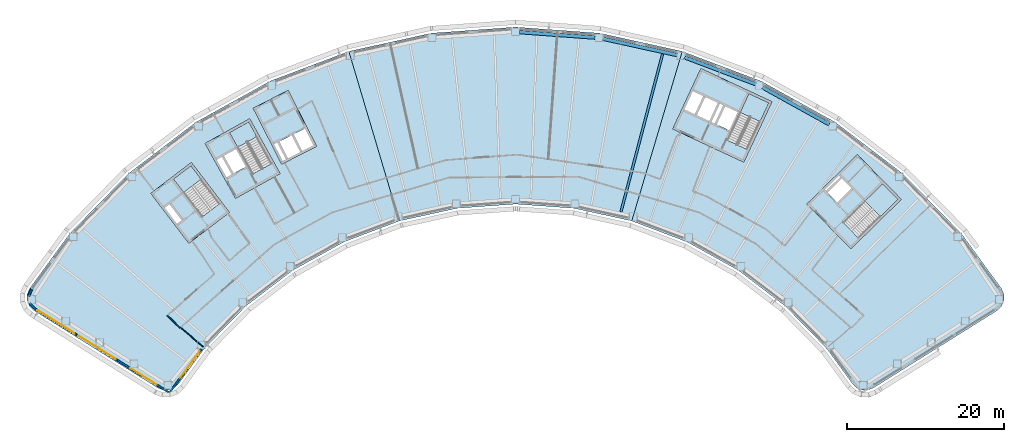
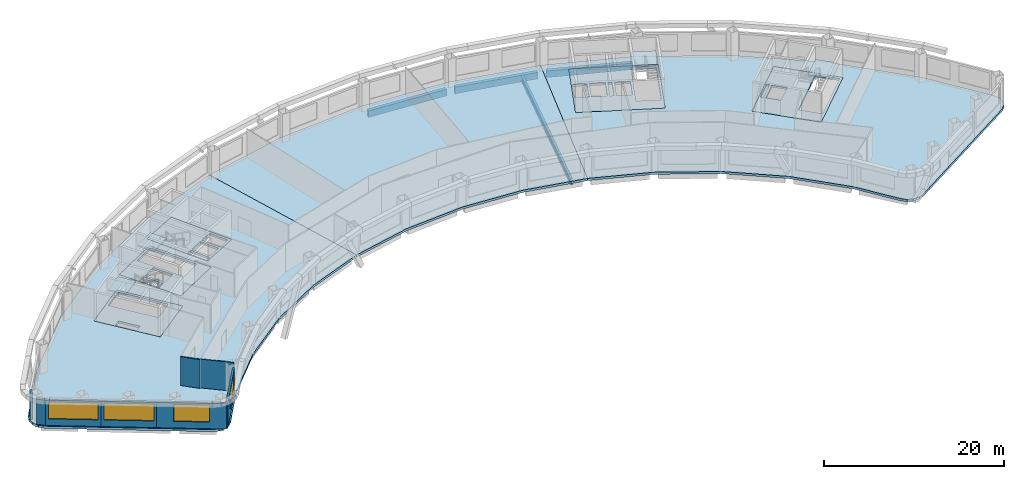
# One storey, part 2 of 13: 12 slabs, 8 walls, 5 beams, 4 windows, 4 openings, 4 elements without a shape of their own.
"""IFC4 building model written with IfcOpenShell, lengths in metres."""

from ifc_helpers import new_model, si_unit, direction, frame, frame_2d, origin, origin_2d, place, context, subcontext, project, spatial, polyline, rectangle, hollow_rectangle, i_section, outline, extrude, material, layer, layer_set, material_profile, profile_set, type_object, element, fill, aggregate, save


model = new_model("IFC4")

# Units and contexts
model_context = context("Model", 3, precision=1e-05, world=origin(), true_north=direction((0.0, 1.0)))
body_context = subcontext(model_context, "Body", "Model", "MODEL_VIEW")
ifc_project = project(units=[si_unit("LENGTHUNIT", "METRE"), si_unit("AREAUNIT", "SQUARE_METRE"), si_unit("VOLUMEUNIT", "CUBIC_METRE"), si_unit("PLANEANGLEUNIT", "RADIAN"), si_unit("MASSUNIT", "GRAM", prefix="KILO")], contexts=[model_context])

# Site, building, storey
site_placement = place(None, origin())
site = spatial("IfcSite", under=ifc_project, at=site_placement, CompositionType="ELEMENT")
building_placement = place(site_placement, origin())
building = spatial("IfcBuilding", under=site, at=building_placement, Name="Tuul Gate Civic Tower", CompositionType="ELEMENT")
storey_placement = place(building_placement, frame((0.0, 0.0, 150.800048828125)))
storey = spatial("IfcBuildingStorey", under=building, at=storey_placement, Name="Level 34", CompositionType="ELEMENT", Elevation=150.800048828125)

# Beams
ifc_material_1 = material(Name="Steel S355", Category="steel")
ifc_material_profile_1 = material_profile(ifc_material_1, i_section(OverallWidth=0.300048828125, OverallDepth=0.800048828125, WebThickness=0.013916015625, FlangeThickness=0.02490234375, at=origin_2d()), Name="PG800x300x14x25")
ifc_profile_set_1 = profile_set([ifc_material_profile_1], Name="Steel S355")
beam_type_1 = type_object("IfcBeamType", Name="STR-FLOOR BEAM-PG800x300x14x25", PredefinedType="BEAM", material=ifc_profile_set_1)
beam_1_placement = place(storey_placement, frame((18.8125, -13.7099609375, -0.699951171875), z_axis=(0.255004720301, 0.96693980817, 0.0), x_axis=(-0.96693980817, 0.255004720301, 0.0)))
element("IfcBeam", 1, at=beam_1_placement, inside=storey, type_object=beam_type_1, Name="Floor beam", PredefinedType="BEAM", context=body_context, shape_type="SweptSolid", body=[
    extrude(i_section(OverallWidth=0.300048828125, OverallDepth=0.800048828125, WebThickness=0.013916015625, FlangeThickness=0.02490234375, at=origin_2d()), origin(), (0.0, 0.0, 1.0), 20.817626953125),
])
ifc_material_2 = material(Name="Steel S355", Category="steel")
ifc_material_profile_2 = material_profile(ifc_material_2, hollow_rectangle(XDim=0.449951171875, YDim=0.89990234375, WallThickness=0.02490234375, at=origin_2d()), Name="BOX900x450x25")
ifc_profile_set_2 = profile_set([ifc_material_profile_2], Name="Steel S355")
beam_type_2 = type_object("IfcBeamType", Name="STR-SPANDREL BEAM-BOX900x450x25", PredefinedType="BEAM", material=ifc_profile_set_2)
beam_2_placement = place(storey_placement, frame((45.338623046875, -2.548583984375, -0.75), z_axis=(-0.874626955885, 0.484796542933, 0.0), x_axis=(-0.484796542933, -0.874626955885, 0.0)))
element("IfcBeam", 2, at=beam_2_placement, inside=storey, type_object=beam_type_2, Name="Spandrel beam", PredefinedType="BEAM", context=body_context, shape_type="SweptSolid", body=[
    extrude(hollow_rectangle(XDim=0.449951171875, YDim=0.89990234375, WallThickness=0.02490234375, at=origin_2d()), origin(), (0.0, 0.0, 1.0), 9.676513671875),
])
beam_3_placement = place(storey_placement, frame((35.97021484375, 2.561767578125, -0.75), z_axis=(-0.935339508416, 0.353751330735, 0.0), x_axis=(-0.353751330735, -0.935339508416, 0.0)))
element("IfcBeam", 3, at=beam_3_placement, inside=storey, type_object=beam_type_2, Name="Spandrel beam", PredefinedType="BEAM", context=body_context, shape_type="SweptSolid", body=[
    extrude(hollow_rectangle(XDim=0.449951171875, YDim=0.89990234375, WallThickness=0.02490234375, at=origin_2d()), origin(), (0.0, 0.0, 1.0), 9.67724609375),
])
beam_4_placement = place(storey_placement, frame((25.962646484375, 6.26953125, -0.75), z_axis=(-0.976569557508, 0.215201996619, 0.0), x_axis=(-0.215201996619, -0.976569557508, 0.0)))
element("IfcBeam", 4, at=beam_4_placement, inside=storey, type_object=beam_type_2, Name="Spandrel beam", PredefinedType="BEAM", context=body_context, shape_type="SweptSolid", body=[
    extrude(hollow_rectangle(XDim=0.449951171875, YDim=0.89990234375, WallThickness=0.02490234375, at=origin_2d()), origin(), (0.0, 0.0, 1.0), 9.67822265625),
])
beam_5_placement = place(storey_placement, frame((15.5244140625, 8.49609375, -0.75), z_axis=(-0.997382449667, 0.072306632453, 0.0), x_axis=(-0.072306632453, -0.997382449667, 0.0)))
element("IfcBeam", 5, at=beam_5_placement, inside=storey, type_object=beam_type_2, Name="Spandrel beam", PredefinedType="BEAM", context=body_context, shape_type="SweptSolid", body=[
    extrude(hollow_rectangle(XDim=0.449951171875, YDim=0.89990234375, WallThickness=0.02490234375, at=origin_2d()), origin(), (0.0, 0.0, 1.0), 9.677001953125),
])

# Slabs
ifc_material_3 = material(Name="Concrete C40/50", Category="concrete")
ifc_layer_1 = layer(ifc_material_3, 0.300048828125)
ifc_layer_set_1 = layer_set([ifc_layer_1], Name="Concrete C40/50")
slab_type_1 = type_object("IfcSlabType", Name="Core floor slab 300", PredefinedType="FLOOR", material=ifc_layer_set_1)
slab_1_placement = place(storey_placement, frame((0.0, 0.0, -0.300048828125)))
element("IfcSlab", 6, at=slab_1_placement, inside=storey, type_object=slab_type_1, Name="FLOOR SLAB", PredefinedType="FLOOR", context=body_context, shape_type="SweptSolid", body=[
    extrude(outline(polyline([(-31.10009765625, -13.7890625), (-35.946044921875, -7.423828125), (-41.11767578125, -11.361572265625), (-36.271484375, -17.726806640625), (-31.10009765625, -13.7890625)]), holes=[polyline([(-37.19287109375, -14.783203125), (-38.737548828125, -12.75439453125), (-39.45361328125, -13.299560546875), (-37.908935546875, -15.328369140625), (-37.19287109375, -14.783203125)]), polyline([(-32.33935546875, -12.65771484375), (-34.56591796875, -14.352783203125), (-38.229736328125, -9.54052734375), (-36.003173828125, -7.845458984375), (-32.33935546875, -12.65771484375)])]), origin(), (0.0, 0.0, 1.0), 0.300048828125),
])
slab_2_placement = place(storey_placement, frame((0.0, 0.0, -0.300048828125)))
element("IfcSlab", 7, at=slab_2_placement, inside=storey, type_object=slab_type_1, Name="FLOOR SLAB", PredefinedType="FLOOR", context=body_context, shape_type="SweptSolid", body=[
    extrude(outline(polyline([(-24.638916015625, -8.846923828125), (-28.51708984375, -1.849853515625), (-34.2021484375, -5.0009765625), (-30.32421875, -11.998046875), (-24.638916015625, -8.846923828125)]), holes=[polyline([(-29.0185546875, -7.958740234375), (-30.254638671875, -5.728515625), (-31.785400390625, -6.576904296875), (-30.54931640625, -8.80712890625), (-29.0185546875, -7.958740234375)]), polyline([(-30.8115234375, -8.95263671875), (-32.047607421875, -6.72216796875), (-32.8349609375, -7.158447265625), (-31.5986328125, -9.388916015625), (-30.8115234375, -8.95263671875)]), polyline([(-25.702392578125, -7.548828125), (-28.14990234375, -8.905517578125), (-31.08203125, -3.615234375), (-28.63427734375, -2.2587890625), (-25.702392578125, -7.548828125)])]), origin(), (0.0, 0.0, 1.0), 0.300048828125),
])
slab_3_placement = place(storey_placement, frame((0.0, 0.0, -0.300048828125)))
element("IfcSlab", 8, at=slab_3_placement, inside=storey, type_object=slab_type_1, Name="FLOOR SLAB", PredefinedType="FLOOR", context=body_context, shape_type="SweptSolid", body=[
    extrude(outline(polyline([(48.117919921875, -18.43310546875), (54.545166015625, -12.1328125), (48.945068359375, -6.419921875), (42.517822265625, -12.719970703125), (48.117919921875, -18.43310546875)]), holes=[polyline([(46.373779296875, -12.510986328125), (48.19482421875, -10.725830078125), (46.969970703125, -9.47607421875), (45.14892578125, -11.26123046875), (46.373779296875, -12.510986328125)]), polyline([(44.93896484375, -11.046875), (46.760009765625, -9.261962890625), (46.514892578125, -9.011962890625), (44.69384765625, -10.797119140625), (44.93896484375, -11.046875)]), polyline([(49.086181640625, -17.062744140625), (47.12744140625, -15.064208984375), (52.160888671875, -10.130126953125), (54.11962890625, -12.128662109375), (49.086181640625, -17.062744140625)])]), origin(), (0.0, 0.0, 1.0), 0.300048828125),
])
slab_4_placement = place(storey_placement, frame((0.0, 0.0, -0.300048828125)))
element("IfcSlab", 9, at=slab_4_placement, inside=storey, type_object=slab_type_1, Name="FLOOR SLAB", PredefinedType="FLOOR", context=body_context, shape_type="SweptSolid", body=[
    extrude(outline(polyline([(34.465087890625, -7.385986328125), (38.056884765625, 0.31787109375), (28.993896484375, 4.543701171875), (25.40185546875, -3.159912109375), (34.465087890625, -7.385986328125)]), holes=[polyline([(32.60888671875, -3.32080078125), (33.6865234375, -1.009765625), (32.1005859375, -0.27001953125), (31.02294921875, -2.581298828125), (32.60888671875, -3.32080078125)]), polyline([(30.0712890625, -2.137451171875), (31.14892578125, 0.173583984375), (29.562744140625, 0.9130859375), (28.4853515625, -1.39794921875), (30.0712890625, -2.137451171875)]), polyline([(30.751220703125, -2.454345703125), (31.82861328125, -0.143310546875), (31.4208984375, 0.046875), (30.34326171875, -2.264404296875), (30.751220703125, -2.454345703125)]), polyline([(28.21337890625, -1.27099609375), (29.291015625, 1.0400390625), (27.8408203125, 1.71630859375), (26.76318359375, -0.594970703125), (28.21337890625, -1.27099609375)]), polyline([(34.889892578125, -5.7626953125), (32.353759765625, -4.580078125), (35.120849609375, 1.354736328125), (37.6572265625, 0.17236328125), (34.889892578125, -5.7626953125)])]), origin(), (0.0, 0.0, 1.0), 0.300048828125),
])
ifc_material_4 = material(Name="Concrete C40/50", Category="concrete")
ifc_layer_2 = layer(ifc_material_4, 0.300048828125)
ifc_layer_set_2 = layer_set([ifc_layer_2], Name="Concrete C40/50")
slab_type_2 = type_object("IfcSlabType", Name="Core floor slab 300 non-bearing", PredefinedType="FLOOR", material=ifc_layer_set_2)
slab_5_placement = place(storey_placement, frame((0.0, 0.0, -0.300048828125)))
element("IfcSlab", 10, at=slab_5_placement, inside=storey, type_object=slab_type_2, Name="FLOOR SLAB", PredefinedType="FLOOR", context=body_context, shape_type="SweptSolid", body=[
    extrude(outline(polyline([(-19.98095703125, -5.365966796875), (-23.613037109375, 1.761962890625), (-28.068115234375, -0.508056640625), (-24.43603515625, -7.635986328125), (-19.98095703125, -5.365966796875)]), holes=[polyline([(-20.384521484375, -5.23486328125), (-21.47412109375, -3.096435546875), (-22.899658203125, -3.822998046875), (-21.81005859375, -5.961181640625), (-20.384521484375, -5.23486328125)]), polyline([(-22.077392578125, -6.097412109375), (-23.1669921875, -3.958984375), (-24.726318359375, -4.753662109375), (-23.63671875, -6.89208984375), (-22.077392578125, -6.097412109375)]), polyline([(-23.8359375, -7.161865234375), (-24.99365234375, -4.889892578125), (-25.5283203125, -5.162109375), (-24.37060546875, -7.434326171875), (-23.8359375, -7.161865234375)])]), origin(), (0.0, 0.0, 1.0), 0.300048828125),
])

# Stair, slab
ifc_material_5 = material(Name="Concrete C40/50", Category="concrete")
stair_type = type_object("IfcStairType", Name="Exit stair", PredefinedType="HALF_TURN_STAIR", material=ifc_material_5)
stair_1_placement = place(storey_placement, origin())
stair_1 = element("IfcStair", 11, at=stair_1_placement, inside=storey, type_object=stair_type, Name="Level 34 ST-1", PredefinedType="HALF_TURN_STAIR")
ifc_material_6 = material(Name="Concrete C40/50", Category="concrete")
ifc_layer_3 = layer(ifc_material_6, 0.199951171875)
ifc_layer_set_3 = layer_set([ifc_layer_3], Name="Concrete C40/50")
slab_type_3 = type_object("IfcSlabType", Name="Exit stair landing", PredefinedType="LANDING", material=ifc_layer_set_3)
slab_6_placement = place(storey_placement, frame((0.0, 0.0, 1.89990234375)))
slab_6 = element("IfcSlab", 12, at=slab_6_placement, type_object=slab_type_3, Name="ST-1 landing 1", PredefinedType="LANDING", context=body_context, shape_type="SweptSolid", body=[
    extrude(outline(polyline([(-34.699462890625, -9.554931640625), (-36.9287109375, -11.252197265625), (-38.23193359375, -9.540283203125), (-36.0029296875, -7.843017578125), (-34.699462890625, -9.554931640625)])), origin(), (0.0, 0.0, 1.0), 0.199951171875),
])
aggregate(stair_1, [slab_6])

stair_2_placement = place(storey_placement, origin())
stair_2 = element("IfcStair", 13, at=stair_2_placement, inside=storey, type_object=stair_type, Name="Level 34 ST-2", PredefinedType="HALF_TURN_STAIR")
slab_7_placement = place(storey_placement, frame((0.0, 0.0, 1.89990234375)))
slab_7 = element("IfcSlab", 14, at=slab_7_placement, type_object=slab_type_3, Name="ST-2 landing 1", PredefinedType="LANDING", context=body_context, shape_type="SweptSolid", body=[
    extrude(outline(polyline([(-27.5908203125, -4.138427734375), (-30.041015625, -5.49658203125), (-31.084228515625, -3.61474609375), (-28.6337890625, -2.256591796875), (-27.5908203125, -4.138427734375)])), origin(), (0.0, 0.0, 1.0), 0.199951171875),
])
aggregate(stair_2, [slab_7])

stair_3_placement = place(storey_placement, origin())
stair_3 = element("IfcStair", 15, at=stair_3_placement, inside=storey, type_object=stair_type, Name="Level 34 ST-3", PredefinedType="HALF_TURN_STAIR")
slab_8_placement = place(storey_placement, frame((0.0, 0.0, 1.89990234375)))
slab_8 = element("IfcSlab", 16, at=slab_8_placement, type_object=slab_type_3, Name="ST-3 landing 1", PredefinedType="LANDING", context=body_context, shape_type="SweptSolid", body=[
    extrude(outline(polyline([(51.871337890625, -14.3349609375), (49.91015625, -12.334228515625), (52.160888671875, -10.1279296875), (54.1220703125, -12.128662109375), (51.871337890625, -14.3349609375)])), origin(), (0.0, 0.0, 1.0), 0.199951171875),
])
aggregate(stair_3, [slab_8])

stair_4_placement = place(storey_placement, origin())
stair_4 = element("IfcStair", 17, at=stair_4_placement, inside=storey, type_object=stair_type, Name="Level 34 ST-4", PredefinedType="HALF_TURN_STAIR")
slab_9_placement = place(storey_placement, frame((0.0, 0.0, 1.89990234375)))
slab_9 = element("IfcSlab", 18, at=slab_9_placement, type_object=slab_type_3, Name="ST-4 landing 1", PredefinedType="LANDING", context=body_context, shape_type="SweptSolid", body=[
    extrude(outline(polyline([(36.538818359375, -2.230224609375), (33.999755859375, -1.046142578125), (35.1201171875, 1.35693359375), (37.659423828125, 0.173095703125), (36.538818359375, -2.230224609375)])), origin(), (0.0, 0.0, 1.0), 0.199951171875),
])
aggregate(stair_4, [slab_9])

# Slabs
ifc_material_7 = material(Name="Concrete C35/45", Category="concrete")
ifc_layer_4 = layer(ifc_material_7, 0.300048828125)
ifc_layer_set_4 = layer_set([ifc_layer_4], Name="Concrete C35/45")
slab_type_4 = type_object("IfcSlabType", Name="STR-FLOOR-SLAB-300", PredefinedType="FLOOR", material=ifc_layer_set_4)
slab_10_placement = place(storey_placement, frame((0.0, 0.0, -0.300048828125)))
element("IfcSlab", 19, at=slab_10_placement, inside=storey, type_object=slab_type_4, Name="Level 34/slab/W", PredefinedType="FLOOR", context=body_context, shape_type="SweptSolid", body=[
    extrude(outline(polyline([(-16.4599609375, -17.5380859375), (-9.43994140625, -14.883056640625), (-15.8740234375, 6.739013671875), (-25.943115234375, 2.930908203125), (-35.35693359375, -2.287109375), (-43.922119140625, -8.80810546875), (-51.45703125, -16.4951171875), (-56.537109375, -23.451904296875), (-56.8740234375, -24.195068359375), (-56.885986328125, -25.010009765625), (-56.571044921875, -25.762939453125), (-55.98193359375, -26.326904296875), (-40.251953125, -36.156005859375), (-39.55810546875, -36.427001953125), (-38.81298828125, -36.424072265625), (-38.12109375, -36.14892578125), (-37.576904296875, -35.639892578125), (-34.248046875, -31.08203125), (-28.9951171875, -25.721923828125), (-23.02392578125, -21.176025390625), (-16.4599609375, -17.5380859375)]), holes=[polyline([(-31.10009765625, -13.7890625), (-36.27197265625, -17.72705078125), (-41.117919921875, -11.362060546875), (-35.946044921875, -7.424072265625), (-31.10009765625, -13.7890625)]), polyline([(-24.638916015625, -8.846923828125), (-30.323974609375, -11.998046875), (-34.201904296875, -5.0009765625), (-28.51708984375, -1.85009765625), (-24.638916015625, -8.846923828125)]), polyline([(-24.43603515625, -7.635986328125), (-28.068115234375, -0.508056640625), (-23.613037109375, 1.761962890625), (-19.98095703125, -5.365966796875), (-24.43603515625, -7.635986328125)])]), origin(), (0.0, 0.0, 1.0), 0.300048828125),
])
slab_11_placement = place(storey_placement, frame((0.0, 0.0, -0.300048828125)))
element("IfcSlab", 20, at=slab_11_placement, inside=storey, type_object=slab_type_4, Name="Level 34/slab/M", PredefinedType="FLOOR", context=body_context, shape_type="SweptSolid", body=[
    extrude(outline(polyline([(20.18798828125, -14.883056640625), (26.6220703125, 6.739013671875), (16.110107421875, 9.054931640625), (5.3740234375, 9.8330078125), (-5.362060546875, 9.054931640625), (-15.8740234375, 6.739013671875), (-9.43994140625, -14.883056640625), (-2.111083984375, -13.26806640625), (5.3740234375, -12.72607421875), (12.85888671875, -13.26806640625), (20.18798828125, -14.883056640625)])), origin(), (0.0, 0.0, 1.0), 0.300048828125),
])
slab_12_placement = place(storey_placement, frame((0.0, 0.0, -0.300048828125)))
element("IfcSlab", 21, at=slab_12_placement, inside=storey, type_object=slab_type_4, Name="Level 34/slab/E", PredefinedType="FLOOR", context=body_context, shape_type="SweptSolid", body=[
    extrude(outline(polyline([(50.305908203125, -36.427001953125), (51.0, -36.156005859375), (66.72998046875, -26.326904296875), (67.319091796875, -25.762939453125), (67.634033203125, -25.010009765625), (67.6220703125, -24.195068359375), (67.284912109375, -23.451904296875), (62.205078125, -16.4951171875), (54.669921875, -8.80810546875), (46.10498046875, -2.287109375), (36.69091796875, 2.930908203125), (26.6220703125, 6.739013671875), (20.18798828125, -14.883056640625), (27.2080078125, -17.5380859375), (33.77197265625, -21.176025390625), (39.742919921875, -25.721923828125), (44.99609375, -31.08203125), (48.324951171875, -35.639892578125), (48.868896484375, -36.14892578125), (49.56103515625, -36.424072265625), (50.305908203125, -36.427001953125)]), holes=[polyline([(48.117919921875, -18.43310546875), (42.51806640625, -12.719970703125), (48.945068359375, -6.419921875), (54.544921875, -12.133056640625), (48.117919921875, -18.43310546875)]), polyline([(25.402099609375, -3.159912109375), (28.993896484375, 4.5439453125), (38.056884765625, 0.318115234375), (34.465087890625, -7.385986328125), (25.402099609375, -3.159912109375)])]), origin(), (0.0, 0.0, 1.0), 0.300048828125),
])

# Walls
ifc_material_8 = material(Name="Gypsum board partition")
ifc_layer_5 = layer(ifc_material_8, 0.14990234375)
ifc_layer_set_5 = layer_set([ifc_layer_5], Name="Gypsum board partition")
wall_type_1 = type_object("IfcWallType", Name="Corridor wall P150", PredefinedType="PARTITIONING", material=ifc_layer_set_5)
wall_1_placement = place(storey_placement, frame((-39.0068359375, -26.9365234375, 0.0), z_axis=(0.0, 0.0, 1.0), x_axis=(0.711649081693, -0.702535112664, 0.0)))
element("IfcWall", 22, at=wall_1_placement, inside=storey, type_object=wall_type_1, Name="p034", PredefinedType="PARTITIONING", context=body_context, shape_type="SweptSolid", body=[
    extrude(rectangle(XDim=2.250244140625, YDim=0.14990234375, at=frame_2d((1.125, 0.0))), origin(), (0.0, 0.0, 1.0), 3.89990234375),
])
ifc_material_9 = material(Name="Precast concrete C40/50", Category="concrete")
ifc_layer_6 = layer(ifc_material_9, 0.25)
ifc_layer_set_6 = layer_set([ifc_layer_6], Name="Precast concrete C40/50")
wall_type_2 = type_object("IfcWallType", Name="External wall", PredefinedType="STANDARD", material=ifc_layer_set_6)
wall_2_placement = place(storey_placement, frame((-56.30224609375, -23.591796875, 0.0), z_axis=(0.0, 0.0, 1.0), x_axis=(-0.41355333093, -0.9104798968, 0.0)))
element("IfcWall", 23, at=wall_2_placement, inside=storey, type_object=wall_type_2, Name="External wall", PredefinedType="STANDARD", context=body_context, shape_type="SweptSolid", body=[
    extrude(rectangle(XDim=0.88427734375, YDim=0.25, at=frame_2d((0.442138671875, 0.0))), origin(), (0.0, 0.0, 1.0), 3.449951171875),
])
wall_3_placement = place(storey_placement, frame((-56.560546875, -25.39697265625, 0.0), z_axis=(0.0, 0.0, 1.0), x_axis=(0.722111514746, -0.691776669361, 0.0)))
element("IfcWall", 24, at=wall_3_placement, inside=storey, type_object=wall_type_2, Name="External wall", PredefinedType="STANDARD", context=body_context, shape_type="SweptSolid", body=[
    extrude(rectangle(XDim=1.0302734375, YDim=0.25, at=frame_2d((0.51513671875, 0.0))), origin(), (0.0, 0.0, 1.0), 3.449951171875),
])

# Wall, opening, window
wall_4_placement = place(storey_placement, frame((-55.836669921875, -26.093994140625, 0.0), z_axis=(0.0, 0.0, 1.0), x_axis=(0.848042669488, -0.529927948619, 0.0)))
wall_4 = element("IfcWall", 25, at=wall_4_placement, inside=storey, type_object=wall_type_2, Name="External wall", PredefinedType="STANDARD", context=body_context, shape_type="SweptSolid", body=[
    extrude(rectangle(XDim=6.1826171875, YDim=0.25, at=frame_2d((3.09130859375, 0.0))), origin(), (0.0, 0.0, 1.0), 3.449951171875),
])
opening_1_placement = place(wall_4_placement, frame((0.31640625, 0.0, 0.89990234375)))
opening_1 = element("IfcOpeningElement", 26, at=opening_1_placement, cuts=wall_4, Name="Opening W24", PredefinedType="OPENING", context=body_context, shape_type="SweptSolid", body=[
    extrude(rectangle(XDim=5.550048828125, YDim=2.300048828125, at=frame_2d((2.77490234375, 1.14990234375))), frame((0.0, 0.135009765625, 0.0), z_axis=(0.0, -1.0, 0.0), x_axis=(1.0, 0.0, 0.0)), (0.0, 0.0, 1.0), 0.27001953125),
])
ifc_material_10 = material(Name="Glass", Category="glass")
window_type_1 = type_object("IfcWindowType", Name="Window W24 5550 x 2300", PartitioningType="SINGLE_PANEL", PredefinedType="WINDOW", material=ifc_material_10)
window_1_placement = place(opening_1_placement, origin())
window_1 = element("IfcWindow", 27, at=window_1_placement, inside=storey, type_object=window_type_1, Name="Window", OverallHeight=2.300048828125, OverallWidth=5.550048828125, PartitioningType="SINGLE_PANEL", PredefinedType="WINDOW", context=body_context, shape_type="SweptSolid", body=[
    extrude(rectangle(XDim=5.550048828125, YDim=2.300048828125, at=frame_2d((2.77490234375, 1.14990234375))), frame((0.0, 0.030029296875, 0.0), z_axis=(0.0, -1.0, 0.0), x_axis=(1.0, 0.0, 0.0)), (0.0, 0.0, 1.0), 0.06005859375),
])
fill(opening_1, window_1)

wall_5_placement = place(storey_placement, frame((-50.593505859375, -29.370361328125, 0.0), z_axis=(0.0, 0.0, 1.0), x_axis=(0.848053758074, -0.529910203164, 0.0)))
wall_5 = element("IfcWall", 28, at=wall_5_placement, inside=storey, type_object=wall_type_2, Name="External wall", PredefinedType="STANDARD", context=body_context, shape_type="SweptSolid", body=[
    extrude(rectangle(XDim=6.182861328125, YDim=0.25, at=frame_2d((3.09130859375, 0.0))), origin(), (0.0, 0.0, 1.0), 3.449951171875),
])
opening_2_placement = place(wall_5_placement, frame((0.31640625, 0.0, 0.89990234375)))
opening_2 = element("IfcOpeningElement", 29, at=opening_2_placement, cuts=wall_5, Name="Opening W24", PredefinedType="OPENING", context=body_context, shape_type="SweptSolid", body=[
    extrude(rectangle(XDim=5.550048828125, YDim=2.300048828125, at=frame_2d((2.77490234375, 1.14990234375))), frame((0.0, 0.135009765625, 0.0), z_axis=(0.0, -1.0, 0.0), x_axis=(1.0, 0.0, 0.0)), (0.0, 0.0, 1.0), 0.27001953125),
])
window_2_placement = place(opening_2_placement, origin())
window_2 = element("IfcWindow", 30, at=window_2_placement, inside=storey, type_object=window_type_1, Name="Window", OverallHeight=2.300048828125, OverallWidth=5.550048828125, PartitioningType="SINGLE_PANEL", PredefinedType="WINDOW", context=body_context, shape_type="SweptSolid", body=[
    extrude(rectangle(XDim=5.550048828125, YDim=2.300048828125, at=frame_2d((2.77490234375, 1.14990234375))), frame((0.0, 0.030029296875, 0.0), z_axis=(0.0, -1.0, 0.0), x_axis=(1.0, 0.0, 0.0)), (0.0, 0.0, 1.0), 0.06005859375),
])
fill(opening_2, window_2)

wall_6_placement = place(storey_placement, frame((-45.35009765625, -32.646728515625, 0.0), z_axis=(0.0, 0.0, 1.0), x_axis=(0.848051131154, -0.529914407191, 0.0)))
wall_6 = element("IfcWall", 31, at=wall_6_placement, inside=storey, type_object=wall_type_2, Name="External wall", PredefinedType="STANDARD", context=body_context, shape_type="SweptSolid", body=[
    extrude(rectangle(XDim=7.788330078125, YDim=0.25, at=frame_2d((3.89404296875, 0.0))), origin(), (0.0, 0.0, 1.0), 3.449951171875),
])
opening_3_placement = place(wall_6_placement, frame((1.89697265625, 0.0, 0.89990234375)))
opening_3 = element("IfcOpeningElement", 32, at=opening_3_placement, cuts=wall_6, Name="Opening W113", PredefinedType="OPENING", context=body_context, shape_type="SweptSolid", body=[
    extrude(rectangle(XDim=3.949951171875, YDim=2.300048828125, at=frame_2d((1.97509765625, 1.14990234375))), frame((0.0, 0.135009765625, 0.0), z_axis=(0.0, -1.0, 0.0), x_axis=(1.0, 0.0, 0.0)), (0.0, 0.0, 1.0), 0.27001953125),
])
ifc_material_11 = material(Name="Glass", Category="glass")
window_type_2 = type_object("IfcWindowType", Name="Window W113 3950 x 2300", PartitioningType="SINGLE_PANEL", PredefinedType="WINDOW", material=ifc_material_11)
window_3_placement = place(opening_3_placement, origin())
window_3 = element("IfcWindow", 33, at=window_3_placement, inside=storey, type_object=window_type_2, Name="Window", OverallHeight=2.300048828125, OverallWidth=3.949951171875, PartitioningType="SINGLE_PANEL", PredefinedType="WINDOW", context=body_context, shape_type="SweptSolid", body=[
    extrude(rectangle(XDim=3.949951171875, YDim=2.300048828125, at=frame_2d((1.97509765625, 1.14990234375))), frame((0.0, 0.030029296875, 0.0), z_axis=(0.0, -1.0, 0.0), x_axis=(1.0, 0.0, 0.0)), (0.0, 0.0, 1.0), 0.06005859375),
])
fill(opening_3, window_3)

wall_7_placement = place(storey_placement, frame((-38.7451171875, -36.77392578125, 0.0), z_axis=(0.0, 0.0, 1.0), x_axis=(0.589748164831, 0.8075872102, 0.0)))
wall_7 = element("IfcWall", 34, at=wall_7_placement, inside=storey, type_object=wall_type_2, Name="External wall", PredefinedType="STANDARD", context=body_context, shape_type="SweptSolid", body=[
    extrude(rectangle(XDim=6.910400390625, YDim=0.25, at=frame_2d((3.455078125, 0.0))), origin(), (0.0, 0.0, 1.0), 3.449951171875),
])
opening_4_placement = place(wall_7_placement, frame((2.356689453125, 0.0, 0.89990234375)))
opening_4 = element("IfcOpeningElement", 35, at=opening_4_placement, cuts=wall_7, Name="Opening W25", PredefinedType="OPENING", context=body_context, shape_type="SweptSolid", body=[
    extrude(rectangle(XDim=4.14990234375, YDim=2.300048828125, at=frame_2d((2.074951171875, 1.14990234375))), frame((0.0, 0.135009765625, 0.0), z_axis=(0.0, -1.0, 0.0), x_axis=(1.0, 0.0, 0.0)), (0.0, 0.0, 1.0), 0.27001953125),
])
ifc_material_12 = material(Name="Glass", Category="glass")
window_type_3 = type_object("IfcWindowType", Name="Window W25 4150 x 2300", PartitioningType="SINGLE_PANEL", PredefinedType="WINDOW", material=ifc_material_12)
window_4_placement = place(opening_4_placement, origin())
window_4 = element("IfcWindow", 36, at=window_4_placement, inside=storey, type_object=window_type_3, Name="Window", OverallHeight=2.300048828125, OverallWidth=4.14990234375, PartitioningType="SINGLE_PANEL", PredefinedType="WINDOW", context=body_context, shape_type="SweptSolid", body=[
    extrude(rectangle(XDim=4.14990234375, YDim=2.300048828125, at=frame_2d((2.074951171875, 1.14990234375))), frame((0.0, 0.030029296875, 0.0), z_axis=(0.0, -1.0, 0.0), x_axis=(1.0, 0.0, 0.0)), (0.0, 0.0, 1.0), 0.06005859375),
])
fill(opening_4, window_4)

# Wall
ifc_material_13 = material(Name="Gypsum board partition")
ifc_layer_7 = layer(ifc_material_13, 0.10009765625)
ifc_layer_set_7 = layer_set([ifc_layer_7], Name="Gypsum board partition")
wall_type_3 = type_object("IfcWallType", Name="Partition P100", PredefinedType="PARTITIONING", material=ifc_layer_set_7)
wall_8_placement = place(storey_placement, frame((-37.341064453125, -28.460205078125, 0.0), z_axis=(0.0, 0.0, 1.0), x_axis=(0.762815767744, -0.646615886351, 0.0)))
element("IfcWall", 37, at=wall_8_placement, inside=storey, type_object=wall_type_3, Name="p028", PredefinedType="PARTITIONING", context=body_context, shape_type="SweptSolid", body=[
    extrude(rectangle(XDim=3.783935546875, YDim=0.10009765625, at=frame_2d((1.89208984375, 0.0))), origin(), (0.0, 0.0, 1.0), 3.89990234375),
])

save(model, "model.ifc")
